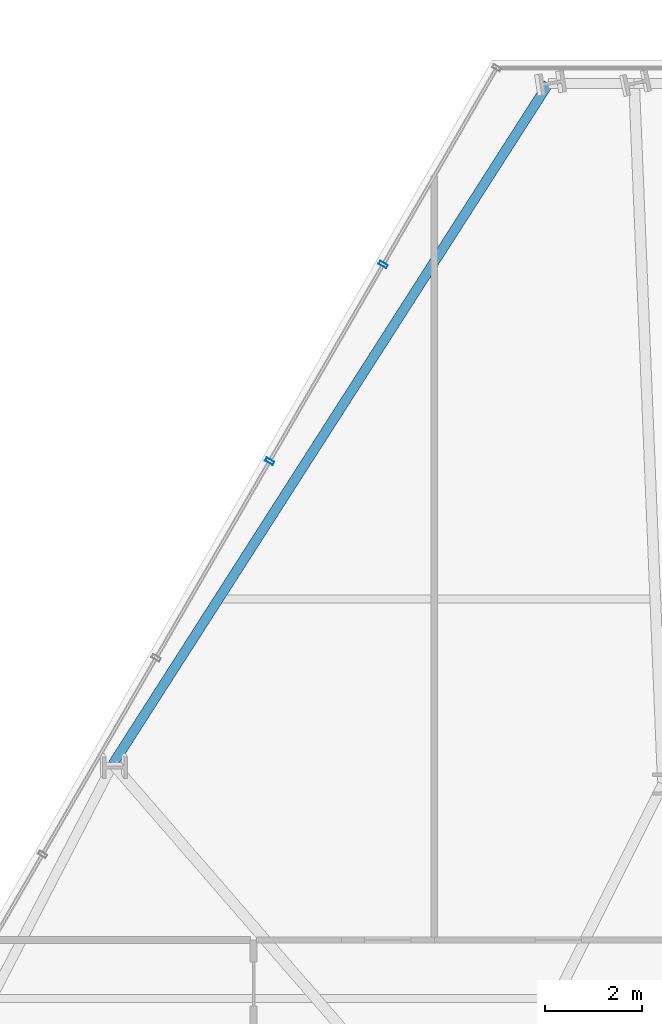
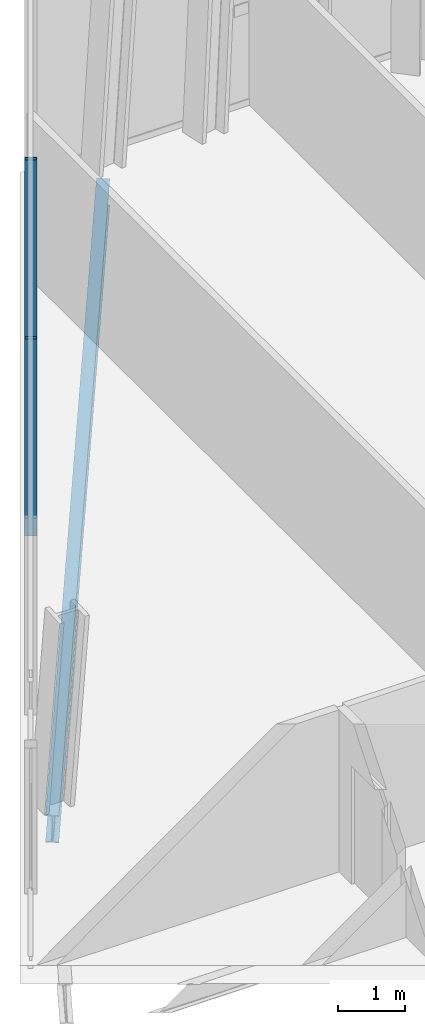
# One storey, part 22 of 33: 2 members, 1 beam, 1 element without a shape of its own.
"""IFC4 building model written with IfcOpenShell, lengths in metres."""

from ifc_helpers import new_model, si_unit, direction, frame, origin, origin_2d, place, context, subcontext, project, spatial, hollow_rectangle, i_section, extrude, material, layer, layer_set, material_profile, profile_set, type_object, element, aggregate, save


model = new_model("IFC4")

# Units and contexts
model_context = context("Model", 3, precision=1e-05, world=origin(), true_north=direction((0.0, 1.0)))
body_context = subcontext(model_context, "Body", "Model", "MODEL_VIEW")
ifc_project = project(units=[si_unit("LENGTHUNIT", "METRE"), si_unit("AREAUNIT", "SQUARE_METRE"), si_unit("VOLUMEUNIT", "CUBIC_METRE"), si_unit("PLANEANGLEUNIT", "RADIAN"), si_unit("MASSUNIT", "GRAM", prefix="KILO")], contexts=[model_context])

# Site, building, storey
site_placement = place(None, origin())
site = spatial("IfcSite", under=ifc_project, at=site_placement, CompositionType="ELEMENT")
building_placement = place(site_placement, origin())
building = spatial("IfcBuilding", under=site, at=building_placement, Name="Ndaravel Arena Tower", CompositionType="ELEMENT")
storey_placement = place(building_placement, frame((0.0, 0.0, 89.199951171875)))
storey = spatial("IfcBuildingStorey", under=building, at=storey_placement, Name="L20", CompositionType="ELEMENT", Elevation=89.199951171875)

# Beam
ifc_material_1 = material(Name="Steel S355", Category="steel")
ifc_material_profile_1 = material_profile(ifc_material_1, i_section(OverallWidth=0.199951171875, OverallDepth=0.5, WebThickness=0.01025390625, FlangeThickness=0.01611328125, FilletRadius=0.02099609375, at=origin_2d()), Name="IPE 500")
ifc_profile_set_1 = profile_set([ifc_material_profile_1], Name="Steel S355")
beam_type = type_object("IfcBeamType", Name="BM-SPAN-IPE500", PredefinedType="SPANDREL", material=ifc_profile_set_1)
beam_placement = place(storey_placement, frame((35.852783203125, 45.575927734375, -0.469970703125), z_axis=(-0.539178204501, -0.842191702519, 0.0), x_axis=(0.842191702519, -0.539178204501, 0.0)))
element("IfcBeam", 1, at=beam_placement, inside=storey, type_object=beam_type, Name="L20 Perimeter Spandrel Beam SP-18", PredefinedType="SPANDREL", context=body_context, shape_type="SweptSolid", body=[
    extrude(i_section(OverallWidth=0.199951171875, OverallDepth=0.5, WebThickness=0.01025390625, FlangeThickness=0.01611328125, FilletRadius=0.02099609375, at=origin_2d()), origin(), (0.0, 0.0, 1.0), 16.58056640625),
])

# Curtain wall, members
ifc_material_2 = material(Name="Aluminium", Category="aluminium")
ifc_layer = layer(ifc_material_2, 0.179931640625)
ifc_layer_set = layer_set([ifc_layer], Name="Aluminium")
curtain_wall_type = type_object("IfcCurtainWallType", Name="CW-SYS-03", PredefinedType="NOTDEFINED", material=ifc_layer_set)
curtain_wall_placement = place(storey_placement, origin())
curtain_wall = element("IfcCurtainWall", 2, at=curtain_wall_placement, inside=storey, type_object=curtain_wall_type, Name="L20 Faceted Crystal Curtain Wall CW-L20-E05", PredefinedType="NOTDEFINED")
ifc_material_3 = material(Name="Aluminium", Category="aluminium")
ifc_material_profile_2 = material_profile(ifc_material_3, hollow_rectangle(XDim=0.074951171875, YDim=0.179931640625, WallThickness=0.00390625, at=origin_2d()), Name="CW MULLION 75x180x4")
ifc_profile_set_2 = profile_set([ifc_material_profile_2], Name="Aluminium")
member_type = type_object("IfcMemberType", Name="MEM-CW-MUL180", PredefinedType="MULLION", material=ifc_profile_set_2)
member_1_placement = place(storey_placement, frame((32.460205078125, 41.860595703125, 0.0), z_axis=(0.0, 0.0, 1.0), x_axis=(-0.5, -0.866025403784, 0.0)))
member_1 = element("IfcMember", 3, at=member_1_placement, type_object=member_type, Name="CW-L20-E05 Mullion 01", PredefinedType="MULLION", context=body_context, shape_type="SweptSolid", body=[
    extrude(hollow_rectangle(XDim=0.074951171875, YDim=0.179931640625, WallThickness=0.00390625, at=origin_2d()), origin(), (0.0, 0.0, 1.0), 3.580078125),
])
member_2_placement = place(storey_placement, frame((30.13037109375, 37.824951171875, 0.0), z_axis=(0.0, 0.0, 1.0), x_axis=(-0.5, -0.866025403784, 0.0)))
member_2 = element("IfcMember", 4, at=member_2_placement, type_object=member_type, Name="CW-L20-E05 Mullion 02", PredefinedType="MULLION", context=body_context, shape_type="SweptSolid", body=[
    extrude(hollow_rectangle(XDim=0.074951171875, YDim=0.179931640625, WallThickness=0.00390625, at=origin_2d()), origin(), (0.0, 0.0, 1.0), 3.580078125),
])
aggregate(curtain_wall, [member_1, member_2])

save(model, "model.ifc")
